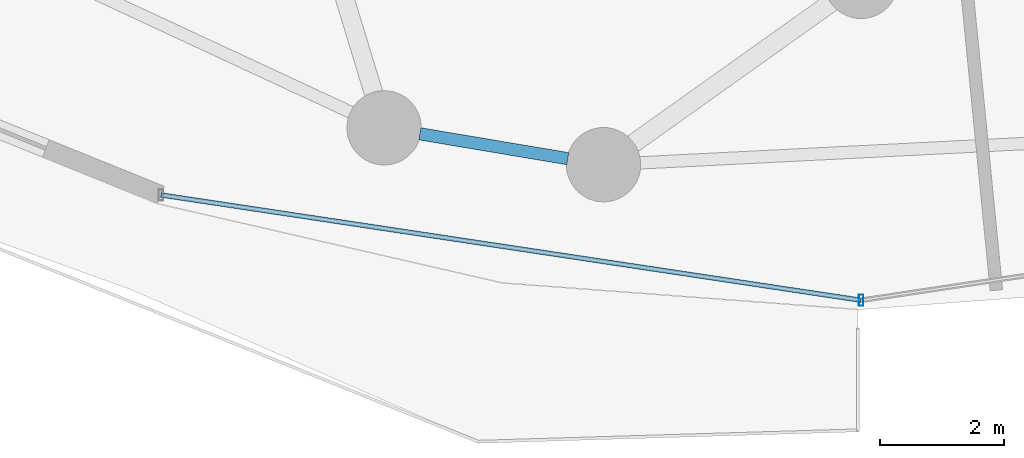
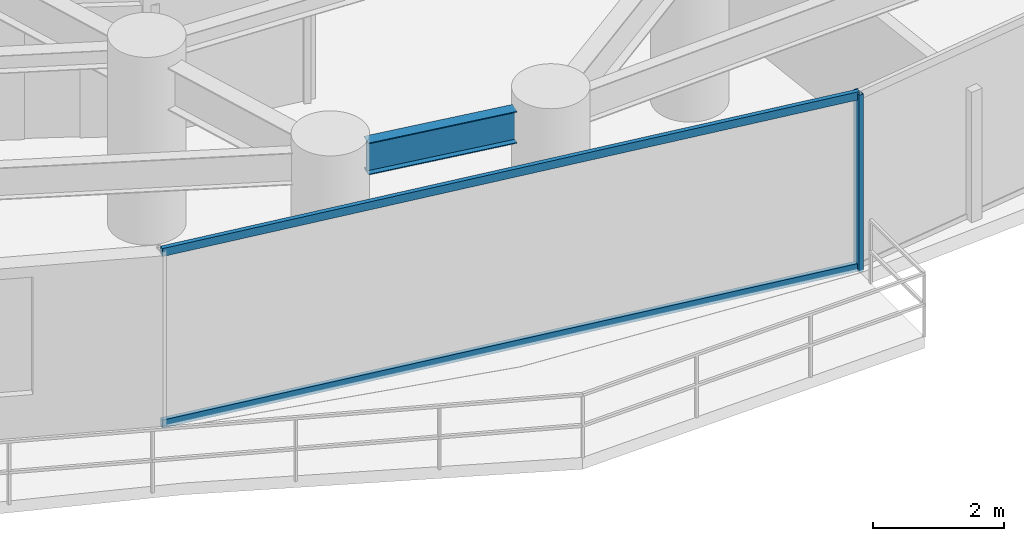
# One storey, part 5 of 30: 3 members, 1 beam, 1 element without a shape of its own.
"""IFC4 building model written with IfcOpenShell, lengths in metres."""

from ifc_helpers import new_model, si_unit, direction, frame, origin, origin_2d, place, context, subcontext, project, spatial, hollow_rectangle, i_section, extrude, material, material_profile, profile_set, type_object, element, aggregate, save


model = new_model("IFC4")

# Units and contexts
model_context = context("Model", 3, precision=1e-05, world=origin(), true_north=direction((0.0, 1.0)))
body_context = subcontext(model_context, "Body", "Model", "MODEL_VIEW")
ifc_project = project(units=[si_unit("LENGTHUNIT", "METRE"), si_unit("AREAUNIT", "SQUARE_METRE"), si_unit("VOLUMEUNIT", "CUBIC_METRE"), si_unit("PLANEANGLEUNIT", "RADIAN"), si_unit("MASSUNIT", "GRAM", prefix="KILO")], contexts=[model_context])

# Site, building, storey
site_placement = place(None, origin())
site = spatial("IfcSite", under=ifc_project, at=site_placement, CompositionType="ELEMENT")
building_placement = place(site_placement, origin())
building = spatial("IfcBuilding", under=site, at=building_placement, Name="Vorneva Point Tower", CompositionType="ELEMENT")
storey_placement = place(building_placement, frame((0.0, 0.0, 55.5)))
storey = spatial("IfcBuildingStorey", under=building, at=storey_placement, Name="L14", CompositionType="ELEMENT", Elevation=55.5)

# Beam
ifc_material_1 = material(Name="Steel S355", Category="steel")
ifc_material_profile_1 = material_profile(ifc_material_1, i_section(OverallWidth=0.198974609375, OverallDepth=0.595947265625, WebThickness=0.010009765625, FlangeThickness=0.014892578125, at=origin_2d()), Name="60B1")
ifc_profile_set_1 = profile_set([ifc_material_profile_1], Name="Steel S355")
beam_type = type_object("IfcBeamType", Name="BM-SPN-60B1", PredefinedType="SPANDREL", material=ifc_profile_set_1)
beam_placement = place(storey_placement, frame((30.873779296875, 6.33837890625, 2.94189453125), z_axis=(0.986169723711, -0.165738577391, 0.0), x_axis=(0.165738577391, 0.986169723711, 0.0)))
element("IfcBeam", 1, at=beam_placement, inside=storey, type_object=beam_type, Name="L14 Perimeter Spandrel Ring Beam 12", PredefinedType="SPANDREL", context=body_context, shape_type="SweptSolid", body=[
    extrude(i_section(OverallWidth=0.198974609375, OverallDepth=0.595947265625, WebThickness=0.010009765625, FlangeThickness=0.014892578125, at=origin_2d()), origin(), (0.0, 0.0, 1.0), 2.423095703125),
])

# Curtain wall, members
ifc_material_2 = material(Name="Pale anodised aluminium", Category="aluminium")
curtain_wall_type = type_object("IfcCurtainWallType", Name="CW-HTL-SYS", PredefinedType="NOTDEFINED", material=ifc_material_2)
curtain_wall_placement = place(storey_placement, origin())
curtain_wall = element("IfcCurtainWall", 2, at=curtain_wall_placement, inside=storey, type_object=curtain_wall_type, Name="L14 Unitised Curtain Wall CW-L14-R04", PredefinedType="NOTDEFINED")
ifc_material_profile_2 = material_profile(ifc_material_2, hollow_rectangle(XDim=0.074951171875, YDim=0.179931640625, WallThickness=0.00390625, at=origin_2d()), Name="AL-MUL 180x75x4")
ifc_profile_set_2 = profile_set([ifc_material_profile_2], Name="Pale anodised aluminium")
member_type_1 = type_object("IfcMemberType", Name="CW-MUL-180", PredefinedType="MULLION", material=ifc_profile_set_2)
member_1_placement = place(storey_placement, frame((38.0, 3.64990234375, -0.0400390625), z_axis=(0.0, 0.0, 1.0), x_axis=(1.0, 0.0, 0.0)))
member_1 = element("IfcMember", 3, at=member_1_placement, type_object=member_type_1, Name="CW-L14-R04 Mullion 02", PredefinedType="MULLION", context=body_context, shape_type="SweptSolid", body=[
    extrude(hollow_rectangle(XDim=0.074951171875, YDim=0.179931640625, WallThickness=0.00390625, at=origin_2d()), origin(), (0.0, 0.0, 1.0), 3.31005859375),
])
ifc_material_profile_3 = material_profile(ifc_material_2, hollow_rectangle(XDim=0.074951171875, YDim=0.14990234375, WallThickness=0.00390625, at=origin_2d()), Name="AL-TRN 150x75x4")
ifc_profile_set_3 = profile_set([ifc_material_profile_3], Name="Pale anodised aluminium")
member_type_2 = type_object("IfcMemberType", Name="CW-TRN-150", PredefinedType="USERDEFINED", material=ifc_profile_set_3)
member_2_placement = place(storey_placement, frame((26.691650390625, 5.351318359375, 0.02001953125), z_axis=(0.988870014575, -0.148782036131, 0.0), x_axis=(0.148782036131, 0.988870014575, 0.0)))
member_2 = element("IfcMember", 4, at=member_2_placement, type_object=member_type_2, Name="CW-L14-R04 Transom 01.1", ObjectType="TRANSOM", PredefinedType="USERDEFINED", context=body_context, shape_type="SweptSolid", body=[
    extrude(hollow_rectangle(XDim=0.074951171875, YDim=0.14990234375, WallThickness=0.00390625, at=origin_2d()), origin(), (0.0, 0.0, 1.0), 11.435546875),
])
member_3_placement = place(storey_placement, frame((26.691650390625, 5.351318359375, 3.219970703125), z_axis=(0.988870014575, -0.148782036131, 0.0), x_axis=(0.148782036131, 0.988870014575, 0.0)))
member_3 = element("IfcMember", 5, at=member_3_placement, type_object=member_type_2, Name="CW-L14-R04 Transom 01.2", ObjectType="TRANSOM", PredefinedType="USERDEFINED", context=body_context, shape_type="SweptSolid", body=[
    extrude(hollow_rectangle(XDim=0.074951171875, YDim=0.14990234375, WallThickness=0.00390625, at=origin_2d()), origin(), (0.0, 0.0, 1.0), 11.435546875),
])
aggregate(curtain_wall, [member_1, member_2, member_3])

save(model, "model.ifc")
